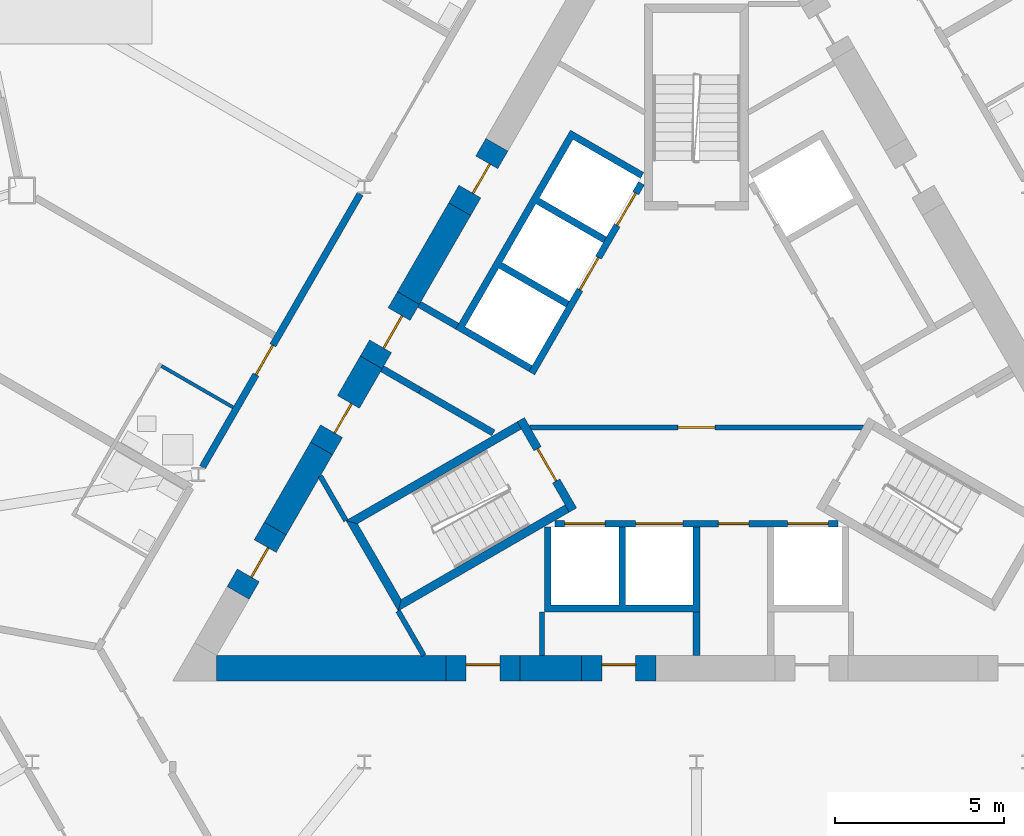
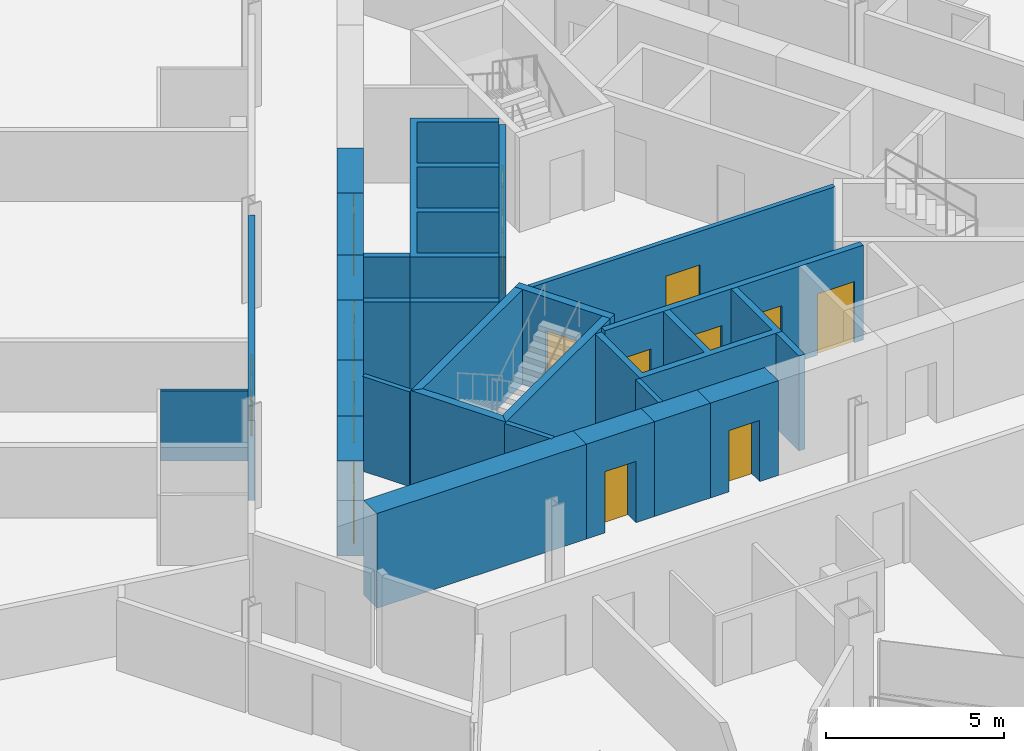
# One storey, part 12 of 24: 28 walls, 15 doors, 15 openings.
"""IFC4 building model written with IfcOpenShell, lengths in metres."""

from ifc_helpers import new_model, si_unit, direction, frame, frame_2d, origin, place, context, subcontext, project, spatial, polyline, rectangle, outline, extrude, material, layer, layer_set, type_object, element, fill, save


model = new_model("IFC4")

# Units and contexts
model_context = context("Model", 3, precision=1e-05, world=origin(), true_north=direction((0.0, 1.0)))
body_context = subcontext(model_context, "Body", "Model", "MODEL_VIEW")
ifc_project = project(units=[si_unit("LENGTHUNIT", "METRE"), si_unit("AREAUNIT", "SQUARE_METRE"), si_unit("VOLUMEUNIT", "CUBIC_METRE"), si_unit("PLANEANGLEUNIT", "RADIAN"), si_unit("MASSUNIT", "GRAM", prefix="KILO")], contexts=[model_context])

# Site, building, storey
site_placement = place(None, origin())
site = spatial("IfcSite", under=ifc_project, at=site_placement, CompositionType="ELEMENT")
building_placement = place(site_placement, origin())
building = spatial("IfcBuilding", under=site, at=building_placement, Name="Cormorant Prow Tower", CompositionType="ELEMENT")
storey_placement = place(building_placement, frame((0.0, 0.0, 201.60009765625)))
storey = spatial("IfcBuildingStorey", under=building, at=storey_placement, Name="L44", CompositionType="ELEMENT", Elevation=201.60009765625)

# Wall, opening, door
ifc_material_1 = material(Name="Gypsum board partition")
ifc_layer_1 = layer(ifc_material_1, 0.14990234375)
ifc_layer_set_1 = layer_set([ifc_layer_1], Name="Gypsum board partition")
wall_type_1 = type_object("IfcWallType", Name="Core partition 150", PredefinedType="PARTITIONING", material=ifc_layer_set_1)
wall_1_placement = place(storey_placement, frame((-4.941162109375, -1.449951171875, 0.0), z_axis=(0.0, 0.0, 1.0), x_axis=(1.0, 0.0, 0.0)))
wall_1 = element("IfcWall", 1, at=wall_1_placement, inside=storey, type_object=wall_type_1, Name="Firefighting lobby partition", PredefinedType="PARTITIONING", context=body_context, shape_type="SweptSolid", body=[
    extrude(rectangle(XDim=9.88232421875, YDim=0.14990234375, at=frame_2d((4.941162109375, 0.0))), origin(), (0.0, 0.0, 1.0), 3.25),
])
opening_1_placement = place(wall_1_placement, frame((4.39111328125, 0.0, 0.0)))
opening_1 = element("IfcOpeningElement", 2, at=opening_1_placement, cuts=wall_1, Name="Opening L44-C10", PredefinedType="OPENING", context=body_context, shape_type="SweptSolid", body=[
    extrude(rectangle(XDim=1.10009765625, YDim=2.10009765625, at=frame_2d((0.550048828125, 1.050048828125))), frame((0.0, 0.0849609375, 0.0), z_axis=(0.0, -1.0, 0.0), x_axis=(1.0, 0.0, 0.0)), (0.0, 0.0, 1.0), 0.169921875),
])
ifc_material_2 = material(Name="Painted steel", Category="steel")
door_type_1 = type_object("IfcDoorType", Name="Firefighting lobby door 1100x2100", OperationType="NOTDEFINED", PredefinedType="DOOR", material=ifc_material_2)
door_1_placement = place(opening_1_placement, origin())
door_1 = element("IfcDoor", 3, at=door_1_placement, inside=storey, type_object=door_type_1, Name="Firefighting lobby door", OperationType="SINGLE_SWING_RIGHT", OverallHeight=2.10009765625, OverallWidth=1.10009765625, PredefinedType="DOOR", context=body_context, shape_type="SweptSolid", body=[
    extrude(rectangle(XDim=1.10009765625, YDim=2.10009765625, at=frame_2d((0.550048828125, 1.050048828125))), frame((0.0, 0.02490234375, 0.0), z_axis=(0.0, -1.0, 0.0), x_axis=(1.0, 0.0, 0.0)), (0.0, 0.0, 1.0), 0.050048828125),
])
fill(opening_1, door_1)

# Walls
wall_2_placement = place(storey_placement, frame((-4.574951171875, -6.906005859375, 0.0), z_axis=(0.0, 0.0, 1.0), x_axis=(0.0, -1.0, 0.0)))
element("IfcWall", 4, at=wall_2_placement, inside=storey, type_object=wall_type_1, Name="Service room partition", PredefinedType="PARTITIONING", context=body_context, shape_type="SweptSolid", body=[
    extrude(rectangle(XDim=1.29296875, YDim=0.14990234375, at=frame_2d((0.646484375, 0.0))), origin(), (0.0, 0.0, 1.0), 3.25),
])
for number, where, z_axis, x_axis, name in (
    (5, (-8.82958984375, -6.880615234375, 0.0), (0.0, 0.0, 1.0), (0.500037110984, -0.866003976688, 0.0), "Service room partition"),
    (6, (-10.37353515625, -4.206298828125, 0.0), (0.0, 0.0, 1.0), (-0.500037110984, 0.866003976688, 0.0), "Service room partition"),
):
    element("IfcWall", number, at=place(storey_placement, frame(where, z_axis=z_axis, x_axis=x_axis)), inside=storey, type_object=wall_type_1, Name=name, PredefinedType="PARTITIONING", context=body_context, shape_type="SweptSolid", body=[
        extrude(rectangle(XDim=1.5224609375, YDim=0.14990234375, at=frame_2d((0.76123046875, 0.0))), origin(), (0.0, 0.0, 1.0), 3.25),
    ])
ifc_material_3 = material(Name="Concrete 8000 psi", Category="concrete")
ifc_layer_2 = layer(ifc_material_3, 0.75)
ifc_layer_set_2 = layer_set([ifc_layer_2], Name="Concrete 8000 psi")
wall_type_2 = type_object("IfcWallType", Name="Core shear wall 750", PredefinedType="SHEAR", material=ifc_layer_set_2)
wall_3_placement = place(storey_placement, frame((-14.200927734375, -8.573974609375, 0.0), z_axis=(0.0, 0.0, 1.0), x_axis=(1.0, 0.0, 0.0)))
element("IfcWall", 7, at=wall_3_placement, inside=storey, type_object=wall_type_2, Name="Core wall", PredefinedType="SHEAR", context=body_context, shape_type="SweptSolid", body=[
    extrude(rectangle(XDim=6.784912109375, YDim=0.75, at=frame_2d((3.392578125, 0.0))), origin(), (0.0, 0.0, 1.0), 3.25),
])
wall_4_placement = place(storey_placement, frame((-5.2158203125, -8.573974609375, 0.0), z_axis=(0.0, 0.0, 1.0), x_axis=(1.0, 0.0, 0.0)))
element("IfcWall", 8, at=wall_4_placement, inside=storey, type_object=wall_type_2, Name="Core wall", PredefinedType="SHEAR", context=body_context, shape_type="SweptSolid", body=[
    extrude(rectangle(XDim=1.81591796875, YDim=0.75, at=frame_2d((0.907958984375, 0.0))), origin(), (0.0, 0.0, 1.0), 3.25),
])
wall_5_placement = place(storey_placement, frame((-7.00634765625, 5.012451171875, 0.0), z_axis=(0.0, 0.0, 1.0), x_axis=(-0.49996826437, -0.866043725583, 0.0)))
element("IfcWall", 9, at=wall_5_placement, inside=storey, type_object=wall_type_2, Name="Core wall", PredefinedType="SHEAR", context=body_context, shape_type="SweptSolid", body=[
    extrude(rectangle(XDim=3.037841796875, YDim=0.75, at=frame_2d((1.51904296875, 0.0))), origin(), (0.0, 0.0, 1.0), 3.25),
])
wall_6_placement = place(storey_placement, frame((-11.095703125, -2.0703125, 0.0), z_axis=(0.0, 0.0, 1.0), x_axis=(-0.49992834617, -0.86606676919, 0.0)))
element("IfcWall", 10, at=wall_6_placement, inside=storey, type_object=wall_type_2, Name="Core wall", PredefinedType="SHEAR", context=body_context, shape_type="SweptSolid", body=[
    extrude(rectangle(XDim=2.7373046875, YDim=0.75, at=frame_2d((1.36865234375, 0.0))), origin(), (0.0, 0.0, 1.0), 3.25),
])

# Wall, opening, door
wall_7_placement = place(storey_placement, frame((-3.39990234375, -8.573974609375, 0.0), z_axis=(0.0, 0.0, 1.0), x_axis=(1.0, 0.0, 0.0)))
wall_7 = element("IfcWall", 11, at=wall_7_placement, inside=storey, type_object=wall_type_2, Name="Core wall door panel", PredefinedType="SHEAR", context=body_context, shape_type="SweptSolid", body=[
    extrude(rectangle(XDim=2.199951171875, YDim=0.75, at=frame_2d((1.10009765625, 0.0))), origin(), (0.0, 0.0, 1.0), 3.25),
])
opening_2_placement = place(wall_7_placement, frame((0.60009765625, 0.0, 0.0)))
opening_2 = element("IfcOpeningElement", 12, at=opening_2_placement, cuts=wall_7, Name="Opening L44-C14", PredefinedType="OPENING", context=body_context, shape_type="SweptSolid", body=[
    extrude(rectangle(XDim=1.0, YDim=2.10009765625, at=frame_2d((0.5, 1.050048828125))), frame((0.0, 0.385009765625, 0.0), z_axis=(0.0, -1.0, 0.0), x_axis=(1.0, 0.0, 0.0)), (0.0, 0.0, 1.0), 0.77001953125),
])
ifc_material_4 = material(Name="Painted steel", Category="steel")
door_type_2 = type_object("IfcDoorType", Name="Service door 1000x2100", OperationType="NOTDEFINED", PredefinedType="DOOR", material=ifc_material_4)
door_2_placement = place(opening_2_placement, origin())
door_2 = element("IfcDoor", 13, at=door_2_placement, inside=storey, type_object=door_type_2, Name="Core door, Electrical room", OperationType="SINGLE_SWING_LEFT", OverallHeight=2.10009765625, OverallWidth=1.0, PredefinedType="DOOR", context=body_context, shape_type="SweptSolid", body=[
    extrude(rectangle(XDim=1.0, YDim=2.10009765625, at=frame_2d((0.5, 1.050048828125))), frame((0.0, 0.1298828125, 0.0), z_axis=(0.0, -1.0, 0.0), x_axis=(1.0, 0.0, 0.0)), (0.0, 0.0, 1.0), 0.050048828125),
])
fill(opening_2, door_2)

wall_8_placement = place(storey_placement, frame((-12.46435546875, -4.44091796875, 0.0), z_axis=(0.0, 0.0, 1.0), x_axis=(-0.499994660107, -0.866028486751, 0.0)))
wall_8 = element("IfcWall", 14, at=wall_8_placement, inside=storey, type_object=wall_type_2, Name="Core wall door panel", PredefinedType="SHEAR", context=body_context, shape_type="SweptSolid", body=[
    extrude(rectangle(XDim=2.19970703125, YDim=0.75, at=frame_2d((1.099853515625, 0.0))), origin(), (0.0, 0.0, 1.0), 3.25),
])
opening_3_placement = place(wall_8_placement, frame((0.60009765625, 0.0, 0.0)))
opening_3 = element("IfcOpeningElement", 15, at=opening_3_placement, cuts=wall_8, Name="Opening L44-C16", PredefinedType="OPENING", context=body_context, shape_type="SweptSolid", body=[
    extrude(rectangle(XDim=1.0, YDim=2.10009765625, at=frame_2d((0.5, 1.050048828125))), frame((0.0, 0.385009765625, 0.0), z_axis=(0.0, -1.0, 0.0), x_axis=(1.0, 0.0, 0.0)), (0.0, 0.0, 1.0), 0.77001953125),
])
door_3_placement = place(opening_3_placement, origin())
door_3 = element("IfcDoor", 16, at=door_3_placement, inside=storey, type_object=door_type_2, Name="Core door, Mechanical riser room", OperationType="SINGLE_SWING_LEFT", OverallHeight=2.10009765625, OverallWidth=1.0, PredefinedType="DOOR", context=body_context, shape_type="SweptSolid", body=[
    extrude(rectangle(XDim=1.0, YDim=2.10009765625, at=frame_2d((0.5, 1.050048828125))), frame((0.0, 0.1298828125, 0.0), z_axis=(0.0, -1.0, 0.0), x_axis=(1.0, 0.0, 0.0)), (0.0, 0.0, 1.0), 0.050048828125),
])
fill(opening_3, door_3)

wall_9_placement = place(storey_placement, frame((-5.906494140625, 6.917724609375, 0.0), z_axis=(0.0, 0.0, 1.0), x_axis=(-0.499946605688, -0.86605622881, 0.0)))
wall_9 = element("IfcWall", 17, at=wall_9_placement, inside=storey, type_object=wall_type_2, Name="Core wall door panel", PredefinedType="SHEAR", context=body_context, shape_type="SweptSolid", body=[
    extrude(rectangle(XDim=2.199951171875, YDim=0.75, at=frame_2d((1.10009765625, 0.0))), origin(), (0.0, 0.0, 1.0), 3.25),
])
opening_4_placement = place(wall_9_placement, frame((0.60009765625, 0.0, 0.0)))
opening_4 = element("IfcOpeningElement", 18, at=opening_4_placement, cuts=wall_9, Name="Opening L44-C18", PredefinedType="OPENING", context=body_context, shape_type="SweptSolid", body=[
    extrude(rectangle(XDim=1.0, YDim=2.10009765625, at=frame_2d((0.5, 1.050048828125))), frame((0.0, 0.385009765625, 0.0), z_axis=(0.0, -1.0, 0.0), x_axis=(1.0, 0.0, 0.0)), (0.0, 0.0, 1.0), 0.77001953125),
])
door_4_placement = place(opening_4_placement, origin())
door_4 = element("IfcDoor", 19, at=door_4_placement, inside=storey, type_object=door_type_2, Name="Core door, Electrical room", OperationType="SINGLE_SWING_RIGHT", OverallHeight=2.10009765625, OverallWidth=1.0, PredefinedType="DOOR", context=body_context, shape_type="SweptSolid", body=[
    extrude(rectangle(XDim=1.0, YDim=2.10009765625, at=frame_2d((0.5, 1.050048828125))), frame((0.0, 0.1298828125, 0.0), z_axis=(0.0, -1.0, 0.0), x_axis=(1.0, 0.0, 0.0)), (0.0, 0.0, 1.0), 0.050048828125),
])
fill(opening_4, door_4)

wall_10_placement = place(storey_placement, frame((-9.625244140625, 0.4765625, 0.0), z_axis=(0.0, 0.0, 1.0), x_axis=(-0.500005104963, -0.866022456413, 0.0)))
wall_10 = element("IfcWall", 20, at=wall_10_placement, inside=storey, type_object=wall_type_2, Name="Core wall door panel", PredefinedType="SHEAR", context=body_context, shape_type="SweptSolid", body=[
    extrude(rectangle(XDim=2.94091796875, YDim=0.75, at=frame_2d((1.470458984375, 0.0))), origin(), (0.0, 0.0, 1.0), 3.25),
])
opening_5_placement = place(wall_10_placement, frame((1.35009765625, 0.0, 0.0)))
opening_5 = element("IfcOpeningElement", 21, at=opening_5_placement, cuts=wall_10, Name="Opening L44-C21", PredefinedType="OPENING", context=body_context, shape_type="SweptSolid", body=[
    extrude(rectangle(XDim=1.0, YDim=2.10009765625, at=frame_2d((0.5, 1.050048828125))), frame((0.0, 0.385009765625, 0.0), z_axis=(0.0, -1.0, 0.0), x_axis=(1.0, 0.0, 0.0)), (0.0, 0.0, 1.0), 0.77001953125),
])
door_5_placement = place(opening_5_placement, origin())
door_5 = element("IfcDoor", 22, at=door_5_placement, inside=storey, type_object=door_type_2, Name="Core door, Mechanical riser room", OperationType="SINGLE_SWING_LEFT", OverallHeight=2.10009765625, OverallWidth=1.0, PredefinedType="DOOR", context=body_context, shape_type="SweptSolid", body=[
    extrude(rectangle(XDim=1.0, YDim=2.10009765625, at=frame_2d((0.5, 1.050048828125))), frame((0.0, 0.1298828125, 0.0), z_axis=(0.0, -1.0, 0.0), x_axis=(1.0, 0.0, 0.0)), (0.0, 0.0, 1.0), 0.050048828125),
])
fill(opening_5, door_5)

wall_11_placement = place(storey_placement, frame((-7.416015625, -8.573974609375, 0.0), z_axis=(0.0, 0.0, 1.0), x_axis=(1.0, 0.0, 0.0)))
wall_11 = element("IfcWall", 23, at=wall_11_placement, inside=storey, type_object=wall_type_2, Name="Core wall door panel", PredefinedType="SHEAR", context=body_context, shape_type="SweptSolid", body=[
    extrude(rectangle(XDim=2.2001953125, YDim=0.75, at=frame_2d((1.10009765625, 0.0))), origin(), (0.0, 0.0, 1.0), 3.25),
])
opening_6_placement = place(wall_11_placement, frame((0.60009765625, 0.0, 0.0)))
opening_6 = element("IfcOpeningElement", 24, at=opening_6_placement, cuts=wall_11, Name="Opening L44-C22", PredefinedType="OPENING", context=body_context, shape_type="SweptSolid", body=[
    extrude(rectangle(XDim=1.0, YDim=2.10009765625, at=frame_2d((0.5, 1.050048828125))), frame((0.0, 0.385009765625, 0.0), z_axis=(0.0, -1.0, 0.0), x_axis=(1.0, 0.0, 0.0)), (0.0, 0.0, 1.0), 0.77001953125),
])
door_6_placement = place(opening_6_placement, origin())
door_6 = element("IfcDoor", 25, at=door_6_placement, inside=storey, type_object=door_type_2, Name="Core door, Mechanical riser room", OperationType="SINGLE_SWING_LEFT", OverallHeight=2.10009765625, OverallWidth=1.0, PredefinedType="DOOR", context=body_context, shape_type="SweptSolid", body=[
    extrude(rectangle(XDim=1.0, YDim=2.10009765625, at=frame_2d((0.5, 1.050048828125))), frame((0.0, 0.1298828125, 0.0), z_axis=(0.0, -1.0, 0.0), x_axis=(1.0, 0.0, 0.0)), (0.0, 0.0, 1.0), 0.050048828125),
])
fill(opening_6, door_6)

wall_12_placement = place(storey_placement, frame((-8.525146484375, 2.381591796875, 0.0), z_axis=(0.0, 0.0, 1.0), x_axis=(-0.500077893725, -0.86598042715, 0.0)))
wall_12 = element("IfcWall", 26, at=wall_12_placement, inside=storey, type_object=wall_type_2, Name="Core wall door panel", PredefinedType="SHEAR", context=body_context, shape_type="SweptSolid", body=[
    extrude(rectangle(XDim=2.199951171875, YDim=0.75, at=frame_2d((1.10009765625, 0.0))), origin(), (0.0, 0.0, 1.0), 3.25),
])
opening_7_placement = place(wall_12_placement, frame((0.550048828125, 0.0, 0.0)))
opening_7 = element("IfcOpeningElement", 27, at=opening_7_placement, cuts=wall_12, Name="Opening L44-C24", PredefinedType="OPENING", context=body_context, shape_type="SweptSolid", body=[
    extrude(rectangle(XDim=1.10009765625, YDim=2.10009765625, at=frame_2d((0.550048828125, 1.050048828125))), frame((0.0, 0.385009765625, 0.0), z_axis=(0.0, -1.0, 0.0), x_axis=(1.0, 0.0, 0.0)), (0.0, 0.0, 1.0), 0.77001953125),
])
ifc_material_5 = material(Name="Painted steel", Category="steel")
door_type_3 = type_object("IfcDoorType", Name="Core door 1100x2100", OperationType="NOTDEFINED", PredefinedType="DOOR", material=ifc_material_5)
door_7_placement = place(opening_7_placement, origin())
door_7 = element("IfcDoor", 28, at=door_7_placement, inside=storey, type_object=door_type_3, Name="Core door, lift lobby", OperationType="SINGLE_SWING_RIGHT", OverallHeight=2.10009765625, OverallWidth=1.10009765625, PredefinedType="DOOR", context=body_context, shape_type="SweptSolid", body=[
    extrude(rectangle(XDim=1.10009765625, YDim=2.10009765625, at=frame_2d((0.550048828125, 1.050048828125))), frame((0.0, 0.1298828125, 0.0), z_axis=(0.0, -1.0, 0.0), x_axis=(1.0, 0.0, 0.0)), (0.0, 0.0, 1.0), 0.050048828125),
])
fill(opening_7, door_7)

ifc_material_6 = material(Name="Gypsum board corridor wall")
ifc_layer_3 = layer(ifc_material_6, 0.199951171875)
ifc_layer_set_3 = layer_set([ifc_layer_3], Name="Gypsum board corridor wall")
wall_type_3 = type_object("IfcWallType", Name="Corridor wall 200", PredefinedType="PARTITIONING", material=ifc_layer_set_3)
wall_13_placement = place(storey_placement, frame((-14.619384765625, -2.62353515625, 0.0), z_axis=(0.0, 0.0, 1.0), x_axis=(0.50000393355, 0.866023132736, 0.0)))
wall_13 = element("IfcWall", 29, at=wall_13_placement, inside=storey, type_object=wall_type_3, Name="Corridor wall", PredefinedType="PARTITIONING", context=body_context, shape_type="SweptSolid", body=[
    extrude(rectangle(XDim=9.3349609375, YDim=0.199951171875, at=frame_2d((4.66748046875, 0.0))), origin(), (0.0, 0.0, 1.0), 3.25),
])
opening_8_placement = place(wall_13_placement, frame((3.1630859375, 0.0, 0.0)))
opening_8 = element("IfcOpeningElement", 30, at=opening_8_placement, cuts=wall_13, Name="Opening L44-F26", PredefinedType="OPENING", context=body_context, shape_type="SweptSolid", body=[
    extrude(rectangle(XDim=1.0, YDim=2.10009765625, at=frame_2d((0.5, 1.050048828125))), frame((0.0, 0.10986328125, 0.0), z_axis=(0.0, -1.0, 0.0), x_axis=(1.0, 0.0, 0.0)), (0.0, 0.0, 1.0), 0.219970703125),
])
ifc_material_7 = material(Name="Timber door leaf", Category="wood")
door_type_4 = type_object("IfcDoorType", Name="Flat or room entrance door 1000x2100", OperationType="NOTDEFINED", PredefinedType="DOOR", material=ifc_material_7)
door_8_placement = place(opening_8_placement, origin())
door_8 = element("IfcDoor", 31, at=door_8_placement, inside=storey, type_object=door_type_4, Name="Guest room door", OperationType="SINGLE_SWING_RIGHT", OverallHeight=2.10009765625, OverallWidth=1.0, PredefinedType="DOOR", context=body_context, shape_type="SweptSolid", body=[
    extrude(rectangle(XDim=1.0, YDim=2.10009765625, at=frame_2d((0.5, 1.050048828125))), frame((0.0, 0.02490234375, 0.0), z_axis=(0.0, -1.0, 0.0), x_axis=(1.0, 0.0, 0.0)), (0.0, 0.0, 1.0), 0.050048828125),
])
fill(opening_8, door_8)

# Wall
ifc_material_8 = material(Name="Gypsum board partition")
ifc_layer_4 = layer(ifc_material_8, 0.10009765625)
ifc_layer_set_4 = layer_set([ifc_layer_4], Name="Gypsum board partition")
wall_type_4 = type_object("IfcWallType", Name="Internal partition 100", PredefinedType="PARTITIONING", material=ifc_layer_set_4)
wall_14_placement = place(storey_placement, frame((-15.8349609375, 0.37109375, 0.0), z_axis=(0.0, 0.0, 1.0), x_axis=(0.866014668023, -0.500018594424, 0.0)))
element("IfcWall", 32, at=wall_14_placement, inside=storey, type_object=wall_type_4, Name="Internal partition", PredefinedType="PARTITIONING", context=body_context, shape_type="SweptSolid", body=[
    extrude(rectangle(XDim=2.4501953125, YDim=0.10009765625, at=frame_2d((1.22509765625, 0.0))), origin(), (0.0, 0.0, 1.0), 2.404052734375),
])

# Wall, openings, doors
ifc_material_9 = material(Name="Concrete 5000 psi", Category="concrete")
ifc_layer_5 = layer(ifc_material_9, 0.199951171875)
ifc_layer_set_5 = layer_set([ifc_layer_5], Name="Concrete 5000 psi")
wall_type_5 = type_object("IfcWallType", Name="Lift lobby wall 200", PredefinedType="SOLIDWALL", material=ifc_layer_set_5)
wall_15_placement = place(storey_placement, frame((-4.1865234375, -4.300048828125, 0.0), z_axis=(0.0, 0.0, 1.0), x_axis=(1.0, 0.0, 0.0)))
wall_15 = element("IfcWall", 33, at=wall_15_placement, inside=storey, type_object=wall_type_5, Name="Lift lobby wall, S block", PredefinedType="SOLIDWALL", context=body_context, shape_type="SweptSolid", body=[
    extrude(rectangle(XDim=8.373046875, YDim=0.199951171875, at=frame_2d((4.1865234375, 0.0))), origin(), (0.0, 0.0, 1.0), 3.25),
])
opening_9_placement = place(wall_15_placement, frame((0.28662109375, 0.0, 0.0)))
opening_9 = element("IfcOpeningElement", 34, at=opening_9_placement, cuts=wall_15, Name="Opening L44-C01", PredefinedType="OPENING", context=body_context, shape_type="SweptSolid", body=[
    extrude(rectangle(XDim=1.199951171875, YDim=2.10009765625, at=frame_2d((0.60009765625, 1.050048828125))), frame((0.0, 0.10986328125, 0.0), z_axis=(0.0, -1.0, 0.0), x_axis=(1.0, 0.0, 0.0)), (0.0, 0.0, 1.0), 0.219970703125),
])
opening_10_placement = place(wall_15_placement, frame((2.38671875, 0.0, 0.0)))
opening_10 = element("IfcOpeningElement", 35, at=opening_10_placement, cuts=wall_15, Name="Opening L44-C02", PredefinedType="OPENING", context=body_context, shape_type="SweptSolid", body=[
    extrude(rectangle(XDim=1.39990234375, YDim=2.10009765625, at=frame_2d((0.699951171875, 1.050048828125))), frame((0.0, 0.10986328125, 0.0), z_axis=(0.0, -1.0, 0.0), x_axis=(1.0, 0.0, 0.0)), (0.0, 0.0, 1.0), 0.219970703125),
])
opening_11_placement = place(wall_15_placement, frame((4.836669921875, 0.0, 0.0)))
opening_11 = element("IfcOpeningElement", 36, at=opening_11_placement, cuts=wall_15, Name="Opening L44-C03", PredefinedType="OPENING", context=body_context, shape_type="SweptSolid", body=[
    extrude(rectangle(XDim=0.89990234375, YDim=2.10009765625, at=frame_2d((0.449951171875, 1.050048828125))), frame((0.0, 0.10986328125, 0.0), z_axis=(0.0, -1.0, 0.0), x_axis=(1.0, 0.0, 0.0)), (0.0, 0.0, 1.0), 0.219970703125),
])
opening_12_placement = place(wall_15_placement, frame((6.88671875, 0.0, 0.0)))
opening_12 = element("IfcOpeningElement", 37, at=opening_12_placement, cuts=wall_15, Name="Opening L44-C04", PredefinedType="OPENING", context=body_context, shape_type="SweptSolid", body=[
    extrude(rectangle(XDim=1.199951171875, YDim=2.10009765625, at=frame_2d((0.60009765625, 1.050048828125))), frame((0.0, 0.10986328125, 0.0), z_axis=(0.0, -1.0, 0.0), x_axis=(1.0, 0.0, 0.0)), (0.0, 0.0, 1.0), 0.219970703125),
])
ifc_material_10 = material(Name="Painted steel", Category="steel")
door_type_5 = type_object("IfcDoorType", Name="Firefighting lift landing door 1200x2100", OperationType="SLIDING_TO_LEFT", PredefinedType="DOOR", material=ifc_material_10)
door_9_placement = place(opening_9_placement, origin())
door_9 = element("IfcDoor", 38, at=door_9_placement, inside=storey, type_object=door_type_5, Name="Landing door FL1", OperationType="SLIDING_TO_LEFT", OverallHeight=2.10009765625, OverallWidth=1.199951171875, PredefinedType="DOOR", context=body_context, shape_type="SweptSolid", body=[
    extrude(rectangle(XDim=1.199951171875, YDim=2.10009765625, at=frame_2d((0.60009765625, 1.050048828125))), frame((0.0, 0.02490234375, 0.0), z_axis=(0.0, -1.0, 0.0), x_axis=(1.0, 0.0, 0.0)), (0.0, 0.0, 1.0), 0.050048828125),
])
fill(opening_9, door_9)
door_10_placement = place(opening_12_placement, origin())
door_10 = element("IfcDoor", 39, at=door_10_placement, inside=storey, type_object=door_type_5, Name="Landing door FL2", OperationType="SLIDING_TO_LEFT", OverallHeight=2.10009765625, OverallWidth=1.199951171875, PredefinedType="DOOR", context=body_context, shape_type="SweptSolid", body=[
    extrude(rectangle(XDim=1.199951171875, YDim=2.10009765625, at=frame_2d((0.60009765625, 1.050048828125))), frame((0.0, 0.02490234375, 0.0), z_axis=(0.0, -1.0, 0.0), x_axis=(1.0, 0.0, 0.0)), (0.0, 0.0, 1.0), 0.050048828125),
])
fill(opening_12, door_10)
ifc_material_11 = material(Name="Painted steel", Category="steel")
door_type_6 = type_object("IfcDoorType", Name="Service door 900x2100", OperationType="NOTDEFINED", PredefinedType="DOOR", material=ifc_material_11)
door_11_placement = place(opening_11_placement, origin())
door_11 = element("IfcDoor", 40, at=door_11_placement, inside=storey, type_object=door_type_6, Name="Service door, Electrical room", OperationType="SINGLE_SWING_RIGHT", OverallHeight=2.10009765625, OverallWidth=0.89990234375, PredefinedType="DOOR", context=body_context, shape_type="SweptSolid", body=[
    extrude(rectangle(XDim=0.89990234375, YDim=2.10009765625, at=frame_2d((0.449951171875, 1.050048828125))), frame((0.0, 0.02490234375, 0.0), z_axis=(0.0, -1.0, 0.0), x_axis=(1.0, 0.0, 0.0)), (0.0, 0.0, 1.0), 0.050048828125),
])
fill(opening_11, door_11)
ifc_material_12 = material(Name="Painted steel", Category="steel")
door_type_7 = type_object("IfcDoorType", Name="Service lift landing door 1400x2100", OperationType="SLIDING_TO_LEFT", PredefinedType="DOOR", material=ifc_material_12)
door_12_placement = place(opening_10_placement, origin())
door_12 = element("IfcDoor", 41, at=door_12_placement, inside=storey, type_object=door_type_7, Name="Landing door SL1", OperationType="SLIDING_TO_LEFT", OverallHeight=2.10009765625, OverallWidth=1.39990234375, PredefinedType="DOOR", context=body_context, shape_type="SweptSolid", body=[
    extrude(rectangle(XDim=1.39990234375, YDim=2.10009765625, at=frame_2d((0.699951171875, 1.050048828125))), frame((0.0, 0.02490234375, 0.0), z_axis=(0.0, -1.0, 0.0), x_axis=(1.0, 0.0, 0.0)), (0.0, 0.0, 1.0), 0.050048828125),
])
fill(opening_10, door_12)

wall_16_placement = place(storey_placement, frame((-1.630615234375, 5.775634765625, 0.0), z_axis=(0.0, 0.0, 1.0), x_axis=(-0.499992876559, -0.866029516466, 0.0)))
wall_16 = element("IfcWall", 42, at=wall_16_placement, inside=storey, type_object=wall_type_5, Name="Lift lobby wall, WNW block", PredefinedType="SOLIDWALL", context=body_context, shape_type="SweptSolid", body=[
    extrude(rectangle(XDim=6.486328125, YDim=0.199951171875, at=frame_2d((3.2431640625, 0.0))), origin(), (0.0, 0.0, 1.0), 3.25),
])
opening_13_placement = place(wall_16_placement, frame((0.336669921875, 0.0, 0.0)))
opening_13 = element("IfcOpeningElement", 43, at=opening_13_placement, cuts=wall_16, Name="Opening L44-C08", PredefinedType="OPENING", context=body_context, shape_type="SweptSolid", body=[
    extrude(rectangle(XDim=1.10009765625, YDim=2.10009765625, at=frame_2d((0.550048828125, 1.050048828125))), frame((0.0, 0.10986328125, 0.0), z_axis=(0.0, -1.0, 0.0), x_axis=(1.0, 0.0, 0.0)), (0.0, 0.0, 1.0), 0.219970703125),
])
opening_14_placement = place(wall_16_placement, frame((2.53662109375, 0.0, 0.0)))
opening_14 = element("IfcOpeningElement", 44, at=opening_14_placement, cuts=wall_16, Name="Opening L44-C09", PredefinedType="OPENING", context=body_context, shape_type="SweptSolid", body=[
    extrude(rectangle(XDim=1.10009765625, YDim=2.10009765625, at=frame_2d((0.550048828125, 1.050048828125))), frame((0.0, 0.10986328125, 0.0), z_axis=(0.0, -1.0, 0.0), x_axis=(1.0, 0.0, 0.0)), (0.0, 0.0, 1.0), 0.219970703125),
])
ifc_material_13 = material(Name="Painted steel", Category="steel")
door_type_8 = type_object("IfcDoorType", Name="Lift landing door 1100x2100", OperationType="SLIDING_TO_LEFT", PredefinedType="DOOR", material=ifc_material_13)
door_13_placement = place(opening_13_placement, origin())
door_13 = element("IfcDoor", 45, at=door_13_placement, inside=storey, type_object=door_type_8, Name="Landing door MR2", OperationType="SLIDING_TO_LEFT", OverallHeight=2.10009765625, OverallWidth=1.10009765625, PredefinedType="DOOR", context=body_context, shape_type="SweptSolid", body=[
    extrude(rectangle(XDim=1.10009765625, YDim=2.10009765625, at=frame_2d((0.550048828125, 1.050048828125))), frame((0.0, 0.02490234375, 0.0), z_axis=(0.0, -1.0, 0.0), x_axis=(1.0, 0.0, 0.0)), (0.0, 0.0, 1.0), 0.050048828125),
])
fill(opening_13, door_13)
door_14_placement = place(opening_14_placement, origin())
door_14 = element("IfcDoor", 46, at=door_14_placement, inside=storey, type_object=door_type_8, Name="Landing door MR3", OperationType="SLIDING_TO_LEFT", OverallHeight=2.10009765625, OverallWidth=1.10009765625, PredefinedType="DOOR", context=body_context, shape_type="SweptSolid", body=[
    extrude(rectangle(XDim=1.10009765625, YDim=2.10009765625, at=frame_2d((0.550048828125, 1.050048828125))), frame((0.0, 0.02490234375, 0.0), z_axis=(0.0, -1.0, 0.0), x_axis=(1.0, 0.0, 0.0)), (0.0, 0.0, 1.0), 0.050048828125),
])
fill(opening_14, door_14)

# Walls
ifc_material_14 = material(Name="Concrete 8000 psi", Category="concrete")
ifc_layer_6 = layer(ifc_material_14, 0.199951171875)
ifc_layer_set_6 = layer_set([ifc_layer_6], Name="Concrete 8000 psi")
wall_type_6 = type_object("IfcWallType", Name="Lift shaft wall 200", PredefinedType="SHEAR", material=ifc_layer_set_6)
wall_17_placement = place(storey_placement, origin())
element("IfcWall", 47, at=wall_17_placement, inside=storey, type_object=wall_type_6, Name="Lift shaft walls, S block", PredefinedType="SHEAR", context=body_context, shape_type="SweptSolid", body=[
    extrude(outline(polyline([(0.10009765625, -4.39990234375), (0.10009765625, -6.906005859375), (-4.5, -6.906005859375), (-4.5, -4.39990234375), (-4.300048828125, -4.39990234375), (-4.300048828125, -6.699951171875), (-2.300048828125, -6.699951171875), (-2.300048828125, -4.39990234375), (-2.10009765625, -4.39990234375), (-2.10009765625, -6.699951171875), (-0.10009765625, -6.699951171875), (-0.10009765625, -4.39990234375), (0.10009765625, -4.39990234375)])), origin(), (0.0, 0.0, 1.0), 3.25),
])
wall_18_placement = place(storey_placement, frame((0.0, -6.906005859375, 0.0), z_axis=(0.0, 0.0, 1.0), x_axis=(0.0, -1.0, 0.0)))
element("IfcWall", 48, at=wall_18_placement, inside=storey, type_object=wall_type_6, Name="Store side wall", PredefinedType="SHEAR", context=body_context, shape_type="SweptSolid", body=[
    extrude(rectangle(XDim=1.29296875, YDim=0.199951171875, at=frame_2d((0.646484375, 0.0))), origin(), (0.0, 0.0, 1.0), 3.25),
])
wall_19_placement = place(storey_placement, origin())
element("IfcWall", 49, at=wall_19_placement, inside=storey, type_object=wall_type_6, Name="Lift shaft walls, WNW block", PredefinedType="SHEAR", context=body_context, shape_type="SweptSolid", body=[
    extrude(outline(polyline([(-6.060546875, -1.697021484375), (-8.230712890625, -0.444091796875), (-8.130859375, -0.27099609375), (-5.96044921875, -1.52392578125), (-6.060546875, -1.697021484375)])), origin(), (0.0, 0.0, 1.0), 3.25),
])
wall_20_placement = place(storey_placement, origin())
element("IfcWall", 50, at=wall_20_placement, inside=storey, type_object=wall_type_6, Name="Lift shaft walls, WNW block", PredefinedType="SHEAR", context=body_context, shape_type="SweptSolid", body=[
    extrude(outline(polyline([(-4.96044921875, 0.2080078125), (-7.130859375, 1.461181640625), (-3.730712890625, 7.35009765625), (-1.560546875, 6.09716796875), (-1.660400390625, 5.923828125), (-3.65234375, 7.073974609375), (-4.65234375, 5.341796875), (-2.660400390625, 4.19189453125), (-2.760498046875, 4.018798828125), (-4.75244140625, 5.168701171875), (-5.75244140625, 3.4365234375), (-3.760498046875, 2.28662109375), (-3.860595703125, 2.11328125), (-5.852294921875, 3.263427734375), (-6.852294921875, 1.53125), (-4.860595703125, 0.38134765625), (-4.96044921875, 0.2080078125)])), origin(), (0.0, 0.0, 1.0), 3.25),
])
for number, where, z_axis, x_axis, name in (
    (51, (-7.080810546875, 1.547607421875, 0.0), (0.0, 0.0, 1.0), (-0.866003189247, 0.500038474733, 0.0), "Lobby passage wall"),
    (52, (-8.180908203125, -0.357421875, 0.0), (0.0, 0.0, 1.0), (-0.866003189247, 0.500038474733, 0.0), "Lobby passage wall"),
):
    element("IfcWall", number, at=place(storey_placement, frame(where, z_axis=z_axis, x_axis=x_axis)), inside=storey, type_object=wall_type_6, Name=name, PredefinedType="SHEAR", context=body_context, shape_type="SweptSolid", body=[
        extrude(rectangle(XDim=1.29296875, YDim=0.199951171875, at=frame_2d((0.646484375, 0.0))), origin(), (0.0, 0.0, 1.0), 3.25),
    ])
ifc_material_15 = material(Name="Concrete 8000 psi", Category="concrete")
ifc_layer_7 = layer(ifc_material_15, 0.25)
ifc_layer_set_7 = layer_set([ifc_layer_7], Name="Concrete 8000 psi")
wall_type_7 = type_object("IfcWallType", Name="Stair wall 250", PredefinedType="SHEAR", material=ifc_layer_set_7)
wall_21_placement = place(storey_placement, origin())
element("IfcWall", 53, at=wall_21_placement, inside=storey, type_object=wall_type_7, Name="Stair ST1 enclosure wall (flank)", PredefinedType="SHEAR", context=body_context, shape_type="SweptSolid", body=[
    extrude(outline(polyline([(-5.30712890625, -1.28125), (-10.37353515625, -4.206298828125), (-10.031982421875, -4.2978515625), (-5.18212890625, -1.497802734375), (-5.30712890625, -1.28125)])), origin(), (0.0, 0.0, 1.0), 3.25),
])
wall_22_placement = place(storey_placement, origin())
element("IfcWall", 54, at=wall_22_placement, inside=storey, type_object=wall_type_7, Name="Stair ST1 enclosure wall (end)", PredefinedType="SHEAR", context=body_context, shape_type="SweptSolid", body=[
    extrude(outline(polyline([(-10.37353515625, -4.206298828125), (-8.82958984375, -6.880615234375), (-8.738037109375, -6.5390625), (-10.031982421875, -4.2978515625), (-10.37353515625, -4.206298828125)])), origin(), (0.0, 0.0, 1.0), 3.25),
])
wall_23_placement = place(storey_placement, origin())
element("IfcWall", 55, at=wall_23_placement, inside=storey, type_object=wall_type_7, Name="Stair ST1 enclosure wall (flank)", PredefinedType="SHEAR", context=body_context, shape_type="SweptSolid", body=[
    extrude(outline(polyline([(-8.738037109375, -6.5390625), (-8.82958984375, -6.880615234375), (-3.76318359375, -3.95556640625), (-3.88818359375, -3.739013671875), (-8.738037109375, -6.5390625)])), origin(), (0.0, 0.0, 1.0), 3.25),
])

# Wall, opening, door
wall_24_placement = place(storey_placement, frame((-5.198974609375, -1.21875, 0.0), z_axis=(0.0, 0.0, 1.0), x_axis=(0.499982516597, -0.866035497597, 0.0)))
wall_24 = element("IfcWall", 56, at=wall_24_placement, inside=storey, type_object=wall_type_7, Name="Stair ST1 door wall", PredefinedType="SHEAR", context=body_context, shape_type="SweptSolid", body=[
    extrude(rectangle(XDim=3.087890625, YDim=0.25, at=frame_2d((1.5439453125, 0.0))), origin(), (0.0, 0.0, 1.0), 3.25),
])
opening_15_placement = place(wall_24_placement, frame((0.993896484375, 0.0, 0.0)))
opening_15 = element("IfcOpeningElement", 57, at=opening_15_placement, cuts=wall_24, Name="Opening L44-C11", PredefinedType="OPENING", context=body_context, shape_type="SweptSolid", body=[
    extrude(rectangle(XDim=1.10009765625, YDim=2.10009765625, at=frame_2d((0.550048828125, 1.050048828125))), frame((0.0, 0.135009765625, 0.0), z_axis=(0.0, -1.0, 0.0), x_axis=(1.0, 0.0, 0.0)), (0.0, 0.0, 1.0), 0.27001953125),
])
ifc_material_16 = material(Name="Painted steel", Category="steel")
door_type_9 = type_object("IfcDoorType", Name="Stair door 1100x2100", OperationType="NOTDEFINED", PredefinedType="DOOR", material=ifc_material_16)
door_15_placement = place(opening_15_placement, origin())
door_15 = element("IfcDoor", 58, at=door_15_placement, inside=storey, type_object=door_type_9, Name="Stair ST1 door", OperationType="SINGLE_SWING_LEFT", OverallHeight=2.10009765625, OverallWidth=1.10009765625, PredefinedType="DOOR", context=body_context, shape_type="SweptSolid", body=[
    extrude(rectangle(XDim=1.10009765625, YDim=2.10009765625, at=frame_2d((0.550048828125, 1.050048828125))), frame((0.0, 0.02490234375, 0.0), z_axis=(0.0, -1.0, 0.0), x_axis=(1.0, 0.0, 0.0)), (0.0, 0.0, 1.0), 0.050048828125),
])
fill(opening_15, door_15)

save(model, "model.ifc")
